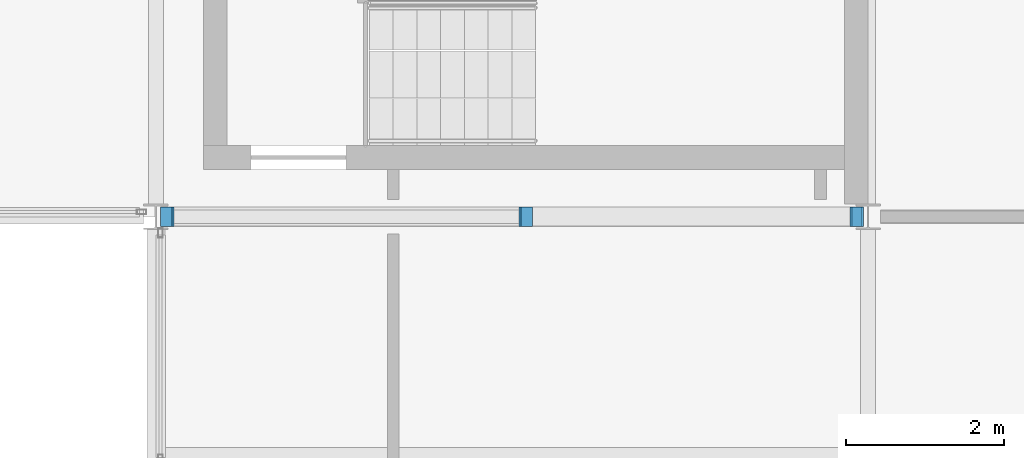
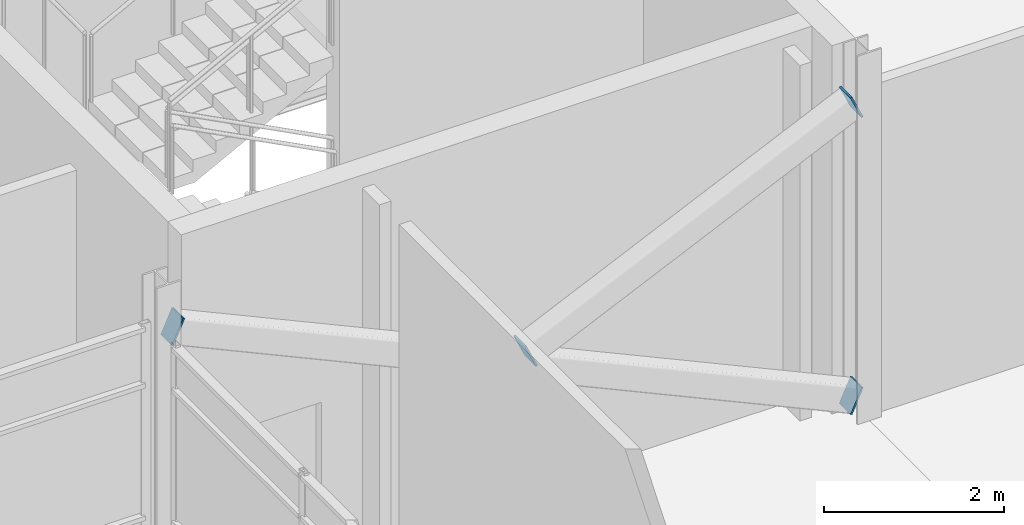
# One storey, part 102 of 112: 4 discrete accessories.
"""IFC4 building model written with IfcOpenShell, lengths in metres."""

from ifc_helpers import new_model, si_unit, direction, frame, origin, place, context, subcontext, project, spatial, polyline, outline, extrude, material, layer, layer_set, type_object, element, save


model = new_model("IFC4")

# Units and contexts
model_context = context("Model", 3, precision=1e-05, world=origin(), true_north=direction((0.0, 1.0)))
body_context = subcontext(model_context, "Body", "Model", "MODEL_VIEW")
ifc_project = project(units=[si_unit("LENGTHUNIT", "METRE"), si_unit("AREAUNIT", "SQUARE_METRE"), si_unit("VOLUMEUNIT", "CUBIC_METRE"), si_unit("PLANEANGLEUNIT", "RADIAN"), si_unit("MASSUNIT", "GRAM", prefix="KILO")], contexts=[model_context])

# Site, building, storey
site_placement = place(None, origin())
site = spatial("IfcSite", under=ifc_project, at=site_placement, CompositionType="ELEMENT")
building_placement = place(site_placement, origin())
building = spatial("IfcBuilding", under=site, at=building_placement, Name="Shorebreak Coast Museum", CompositionType="ELEMENT")
storey_placement = place(building_placement, frame((0.0, 0.0, 6.0)))
storey = spatial("IfcBuildingStorey", under=building, at=storey_placement, Name="L01", CompositionType="ELEMENT", Elevation=6.0)

# Discrete accessories
ifc_material = material(Name="Steel Grade 300", Category="steel")
ifc_layer = layer(ifc_material, 0.02490234375)
ifc_layer_set = layer_set([ifc_layer], Name="Steel Grade 300")
discrete_accessory_type = type_object("IfcDiscreteAccessoryType", Name="End plate 250 x 350 x 25", PredefinedType="BRACKET", material=ifc_layer_set)
discrete_accessory_1_placement = place(storey_placement, frame((112.759521484375, 80.875, 2.213623046875), z_axis=(0.909383974787, 0.0, 0.415957673809), x_axis=(0.0, 1.0, 0.0)))
element("IfcDiscreteAccessory", 1, at=discrete_accessory_1_placement, inside=storey, type_object=discrete_accessory_type, Name="End plate X-brace bay 04 L01 diagonal 1 end 1", PredefinedType="BRACKET", context=body_context, shape_type="SweptSolid", body=[
    extrude(outline(polyline([(0.0, 0.0), (0.25, 0.0), (0.25, 0.34981398748477216), (0.0, 0.34981398748477216), (0.0, 0.0)])), origin(), (0.0, 0.0, -1.0), 0.02490234375),
])
discrete_accessory_2_placement = place(storey_placement, frame((116.94091796875, 80.875, 4.126220703125), z_axis=(0.909504613819, 0.0, 0.415693826562), x_axis=(0.0, 1.0, 0.0)))
element("IfcDiscreteAccessory", 2, at=discrete_accessory_2_placement, inside=storey, type_object=discrete_accessory_type, Name="End plate X-brace bay 04 L01 diagonal 1 end 2", PredefinedType="BRACKET", context=body_context, shape_type="SweptSolid", body=[
    extrude(outline(polyline([(0.0, 0.0), (0.25, 0.0), (0.25, 0.3500360197878581), (0.0, 0.3500360197878581), (0.0, 0.0)])), origin(), (0.0, 0.0, -1.0), 0.02490234375),
])
discrete_accessory_3_placement = place(storey_placement, frame((116.772705078125, 81.125, 0.140869140625), z_axis=(-0.909383974787, 0.0, 0.415957673809), x_axis=(0.0, -1.0, 0.0)))
element("IfcDiscreteAccessory", 3, at=discrete_accessory_3_placement, inside=storey, type_object=discrete_accessory_type, Name="End plate X-brace bay 04 L01 diagonal 2 end 1", PredefinedType="BRACKET", context=body_context, shape_type="SweptSolid", body=[
    extrude(outline(polyline([(0.0, 0.0), (0.25, 0.0), (0.25, 0.34981398748477216), (0.0, 0.34981398748477216), (0.0, 0.0)])), origin(), (0.0, 0.0, -1.0), 0.02490234375),
])
discrete_accessory_4_placement = place(storey_placement, frame((108.06005859375, 81.125, 4.126220703125), z_axis=(-0.909504613819, 0.0, 0.415693826562), x_axis=(0.0, -1.0, 0.0)))
element("IfcDiscreteAccessory", 4, at=discrete_accessory_4_placement, inside=storey, type_object=discrete_accessory_type, Name="End plate X-brace bay 04 L01 diagonal 2 end 2", PredefinedType="BRACKET", context=body_context, shape_type="SweptSolid", body=[
    extrude(outline(polyline([(0.0, 0.0), (0.25, 0.0), (0.25, 0.3500360197878581), (0.0, 0.3500360197878581), (0.0, 0.0)])), origin(), (0.0, 0.0, -1.0), 0.02490234375),
])

save(model, "model.ifc")
